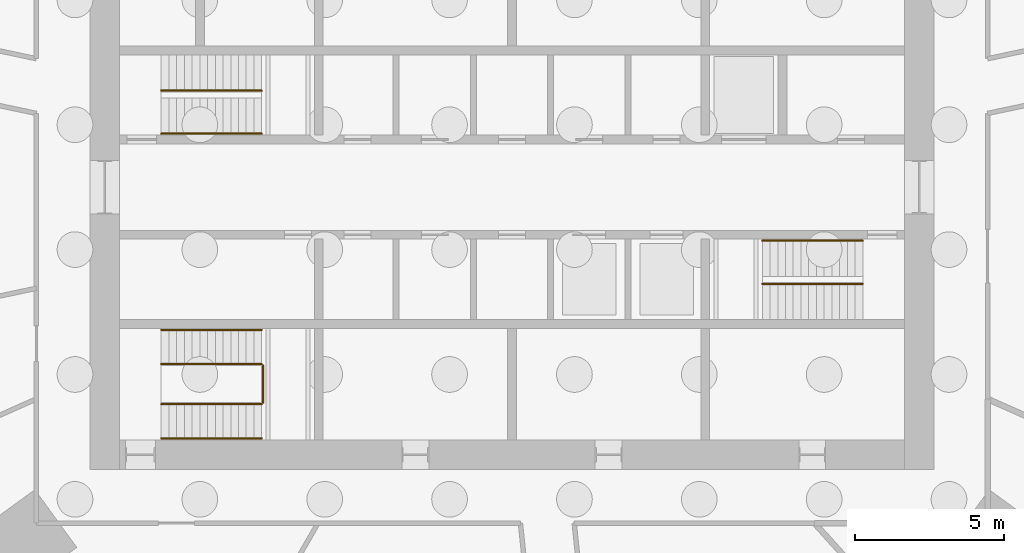
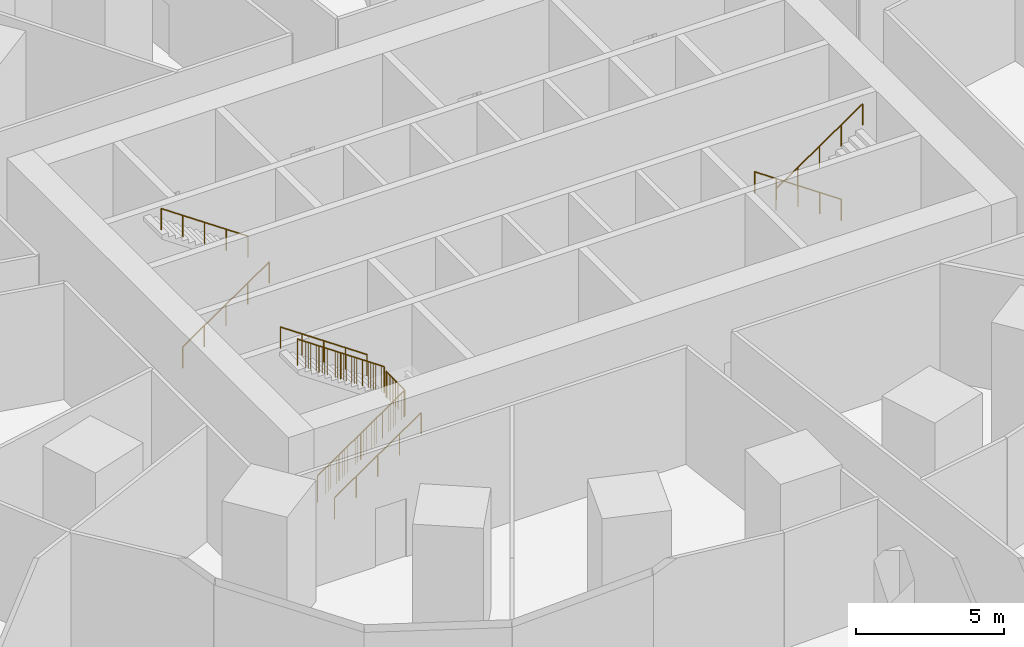
# One storey, part 10 of 11: 9 railings.
"""IFC4 building model written with IfcOpenShell, lengths in metres."""

from ifc_helpers import new_model, si_unit, direction, frame, origin, origin_2d, place, context, subcontext, project, spatial, circle, extrude, material, type_object, element, save


model = new_model("IFC4")

# Units and contexts
model_context = context("Model", 3, precision=1e-05, world=origin(), true_north=direction((0.0, 1.0)))
body_context = subcontext(model_context, "Body", "Model", "MODEL_VIEW")
ifc_project = project(units=[si_unit("LENGTHUNIT", "METRE"), si_unit("AREAUNIT", "SQUARE_METRE"), si_unit("VOLUMEUNIT", "CUBIC_METRE"), si_unit("PLANEANGLEUNIT", "RADIAN"), si_unit("MASSUNIT", "GRAM", prefix="KILO")], contexts=[model_context])

# Site, building, storey
site_placement = place(None, origin())
site = spatial("IfcSite", under=ifc_project, at=site_placement, CompositionType="ELEMENT")
building_placement = place(site_placement, origin())
building = spatial("IfcBuilding", under=site, at=building_placement, Name="Marramba Exchange Tower", CompositionType="ELEMENT")
storey_placement = place(building_placement, frame((0.0, 0.0, -5.0)))
storey = spatial("IfcBuildingStorey", under=building, at=storey_placement, Name="B1", CompositionType="ELEMENT", Elevation=-5.0)

# Railings
ifc_material_1 = material(Name="Stainless steel handrail", Category="steel")
railing_type_1 = type_object("IfcRailingType", Name="Stair handrail 900", PredefinedType="HANDRAIL", material=ifc_material_1)
railing_1_placement = place(storey_placement, frame((-11.800048828125, 1.800048828125, 0.178466796875)))
element("IfcRailing", 1, at=railing_1_placement, inside=storey, type_object=railing_type_1, Name="Handrail HR1 ST1 B1 flight 1", PredefinedType="HANDRAIL", context=body_context, shape_type="SweptSolid", body=[
    extrude(circle(Radius=0.02392578125, at=origin_2d()), frame((0.0, 0.0, 0.8759765625), z_axis=(0.824304150675, 0.0, 0.566147213346), x_axis=(0.0, 1.0, 0.0)), (0.0, 0.0, 1.0), 4.1005859375),
    extrude(circle(Radius=0.02099609375, at=origin_2d()), origin(), (0.0, 0.0, 1.0), 0.851806640625),
    extrude(circle(Radius=0.02099609375, at=origin_2d()), frame((0.844970703125, 0.0, 0.580322265625)), (0.0, 0.0, 1.0), 0.851806640625),
    extrude(circle(Radius=0.02099609375, at=origin_2d()), frame((1.68994140625, 0.0, 1.16064453125)), (0.0, 0.0, 1.0), 0.851806640625),
    extrude(circle(Radius=0.02099609375, at=origin_2d()), frame((2.53515625, 0.0, 1.7412109375)), (0.0, 0.0, 1.0), 0.851806640625),
    extrude(circle(Radius=0.02099609375, at=origin_2d()), frame((3.380126953125, 0.0, 2.321533203125)), (0.0, 0.0, 1.0), 0.851806640625),
])
for number, where, name in (
    (2, (-8.419921875, 3.25, 2.678466796875), "Handrail HR1 ST1 B1 flight 2"),
    (3, (11.800048828125, -1.800048828125, 0.178466796875), "Handrail HR1 ST2 B1 flight 1"),
):
    element("IfcRailing", number, at=place(storey_placement, frame(where)), inside=storey, type_object=railing_type_1, Name=name, PredefinedType="HANDRAIL", context=body_context, shape_type="SweptSolid", body=[
        extrude(circle(Radius=0.02392578125, at=origin_2d()), frame((0.0, 0.0, 0.8759765625), z_axis=(-0.824304150675, 0.0, 0.566147213346), x_axis=(0.0, -1.0, 0.0)), (0.0, 0.0, 1.0), 4.1005859375),
        extrude(circle(Radius=0.02099609375, at=origin_2d()), origin(), (0.0, 0.0, 1.0), 0.851806640625),
        extrude(circle(Radius=0.02099609375, at=origin_2d()), frame((-0.844970703125, 0.0, 0.580322265625)), (0.0, 0.0, 1.0), 0.851806640625),
        extrude(circle(Radius=0.02099609375, at=origin_2d()), frame((-1.68994140625, 0.0, 1.16064453125)), (0.0, 0.0, 1.0), 0.851806640625),
        extrude(circle(Radius=0.02099609375, at=origin_2d()), frame((-2.53515625, 0.0, 1.7412109375)), (0.0, 0.0, 1.0), 0.851806640625),
        extrude(circle(Radius=0.02099609375, at=origin_2d()), frame((-3.380126953125, 0.0, 2.321533203125)), (0.0, 0.0, 1.0), 0.851806640625),
    ])
for number, where, name in (
    (4, (8.419921875, -3.25, 2.678466796875), "Handrail HR1 ST2 B1 flight 2"),
    (5, (-11.800048828125, -8.449951171875, 0.178466796875), "Handrail HR1 ST3 B1 flight 1"),
):
    element("IfcRailing", number, at=place(storey_placement, frame(where)), inside=storey, type_object=railing_type_1, Name=name, PredefinedType="HANDRAIL", context=body_context, shape_type="SweptSolid", body=[
        extrude(circle(Radius=0.02392578125, at=origin_2d()), frame((0.0, 0.0, 0.8759765625), z_axis=(0.824304150675, 0.0, 0.566147213346), x_axis=(0.0, 1.0, 0.0)), (0.0, 0.0, 1.0), 4.1005859375),
        extrude(circle(Radius=0.02099609375, at=origin_2d()), origin(), (0.0, 0.0, 1.0), 0.851806640625),
        extrude(circle(Radius=0.02099609375, at=origin_2d()), frame((0.844970703125, 0.0, 0.580322265625)), (0.0, 0.0, 1.0), 0.851806640625),
        extrude(circle(Radius=0.02099609375, at=origin_2d()), frame((1.68994140625, 0.0, 1.16064453125)), (0.0, 0.0, 1.0), 0.851806640625),
        extrude(circle(Radius=0.02099609375, at=origin_2d()), frame((2.53515625, 0.0, 1.7412109375)), (0.0, 0.0, 1.0), 0.851806640625),
        extrude(circle(Radius=0.02099609375, at=origin_2d()), frame((3.380126953125, 0.0, 2.321533203125)), (0.0, 0.0, 1.0), 0.851806640625),
    ])
railing_2_placement = place(storey_placement, frame((-8.419921875, -4.800048828125, 2.678466796875)))
element("IfcRailing", 6, at=railing_2_placement, inside=storey, type_object=railing_type_1, Name="Handrail HR1 ST3 B1 flight 2", PredefinedType="HANDRAIL", context=body_context, shape_type="SweptSolid", body=[
    extrude(circle(Radius=0.02392578125, at=origin_2d()), frame((0.0, 0.0, 0.8759765625), z_axis=(-0.824304150675, 0.0, 0.566147213346), x_axis=(0.0, -1.0, 0.0)), (0.0, 0.0, 1.0), 4.1005859375),
    extrude(circle(Radius=0.02099609375, at=origin_2d()), origin(), (0.0, 0.0, 1.0), 0.851806640625),
    extrude(circle(Radius=0.02099609375, at=origin_2d()), frame((-0.844970703125, 0.0, 0.580322265625)), (0.0, 0.0, 1.0), 0.851806640625),
    extrude(circle(Radius=0.02099609375, at=origin_2d()), frame((-1.68994140625, 0.0, 1.16064453125)), (0.0, 0.0, 1.0), 0.851806640625),
    extrude(circle(Radius=0.02099609375, at=origin_2d()), frame((-2.53515625, 0.0, 1.7412109375)), (0.0, 0.0, 1.0), 0.851806640625),
    extrude(circle(Radius=0.02099609375, at=origin_2d()), frame((-3.380126953125, 0.0, 2.321533203125)), (0.0, 0.0, 1.0), 0.851806640625),
])
ifc_material_2 = material(Name="Stainless steel guard", Category="steel")
railing_type_2 = type_object("IfcRailingType", Name="Stair well guard 1100", PredefinedType="GUARDRAIL", material=ifc_material_2)
railing_3_placement = place(storey_placement, frame((-11.800048828125, -7.300048828125, 0.178466796875)))
element("IfcRailing", 7, at=railing_3_placement, inside=storey, type_object=railing_type_2, Name="Stair well guard GR2 ST3 B1 flight 1", PredefinedType="GUARDRAIL", context=body_context, shape_type="SweptSolid", body=[
    extrude(circle(Radius=0.02392578125, at=origin_2d()), frame((0.0, 0.0, 1.076171875), z_axis=(0.824304150675, 0.0, 0.566147213346), x_axis=(0.0, 1.0, 0.0)), (0.0, 0.0, 1.0), 4.1005859375),
    extrude(circle(Radius=0.02099609375, at=origin_2d()), origin(), (0.0, 0.0, 1.0), 1.052001953125),
    extrude(circle(Radius=0.02099609375, at=origin_2d()), frame((0.844970703125, 0.0, 0.580322265625)), (0.0, 0.0, 1.0), 1.052001953125),
    extrude(circle(Radius=0.02099609375, at=origin_2d()), frame((1.68994140625, 0.0, 1.16064453125)), (0.0, 0.0, 1.0), 1.052001953125),
    extrude(circle(Radius=0.02099609375, at=origin_2d()), frame((2.53515625, 0.0, 1.7412109375)), (0.0, 0.0, 1.0), 1.052001953125),
    extrude(circle(Radius=0.02099609375, at=origin_2d()), frame((3.380126953125, 0.0, 2.321533203125)), (0.0, 0.0, 1.0), 1.052001953125),
    extrude(circle(Radius=0.006103515625, at=origin_2d()), frame((0.116943359375, 0.0, 0.080322265625)), (0.0, 0.0, 1.0), 1.052001953125),
    extrude(circle(Radius=0.006103515625, at=origin_2d()), frame((0.21875, 0.0, 0.150146484375)), (0.0, 0.0, 1.0), 1.052001953125),
    extrude(circle(Radius=0.006103515625, at=origin_2d()), frame((0.320556640625, 0.0, 0.22021484375)), (0.0, 0.0, 1.0), 1.052001953125),
    extrude(circle(Radius=0.006103515625, at=origin_2d()), frame((0.422607421875, 0.0, 0.290283203125)), (0.0, 0.0, 1.0), 1.052001953125),
    extrude(circle(Radius=0.006103515625, at=origin_2d()), frame((0.5244140625, 0.0, 0.360107421875)), (0.0, 0.0, 1.0), 1.052001953125),
    extrude(circle(Radius=0.006103515625, at=origin_2d()), frame((0.626220703125, 0.0, 0.43017578125)), (0.0, 0.0, 1.0), 1.052001953125),
    extrude(circle(Radius=0.006103515625, at=origin_2d()), frame((0.728271484375, 0.0, 0.5)), (0.0, 0.0, 1.0), 1.052001953125),
    extrude(circle(Radius=0.006103515625, at=origin_2d()), frame((0.9619140625, 0.0, 0.66064453125)), (0.0, 0.0, 1.0), 1.052001953125),
    extrude(circle(Radius=0.006103515625, at=origin_2d()), frame((1.063720703125, 0.0, 0.730712890625)), (0.0, 0.0, 1.0), 1.052001953125),
    extrude(circle(Radius=0.006103515625, at=origin_2d()), frame((1.165771484375, 0.0, 0.800537109375)), (0.0, 0.0, 1.0), 1.052001953125),
    extrude(circle(Radius=0.006103515625, at=origin_2d()), frame((1.267578125, 0.0, 0.87060546875)), (0.0, 0.0, 1.0), 1.052001953125),
    extrude(circle(Radius=0.006103515625, at=origin_2d()), frame((1.369384765625, 0.0, 0.9404296875)), (0.0, 0.0, 1.0), 1.052001953125),
    extrude(circle(Radius=0.006103515625, at=origin_2d()), frame((1.47119140625, 0.0, 1.010498046875)), (0.0, 0.0, 1.0), 1.052001953125),
    extrude(circle(Radius=0.006103515625, at=origin_2d()), frame((1.5732421875, 0.0, 1.08056640625)), (0.0, 0.0, 1.0), 1.052001953125),
    extrude(circle(Radius=0.006103515625, at=origin_2d()), frame((1.806884765625, 0.0, 1.240966796875)), (0.0, 0.0, 1.0), 1.052001953125),
    extrude(circle(Radius=0.006103515625, at=origin_2d()), frame((1.908935546875, 0.0, 1.31103515625)), (0.0, 0.0, 1.0), 1.052001953125),
    extrude(circle(Radius=0.006103515625, at=origin_2d()), frame((2.0107421875, 0.0, 1.381103515625)), (0.0, 0.0, 1.0), 1.052001953125),
    extrude(circle(Radius=0.006103515625, at=origin_2d()), frame((2.112548828125, 0.0, 1.450927734375)), (0.0, 0.0, 1.0), 1.052001953125),
    extrude(circle(Radius=0.006103515625, at=origin_2d()), frame((2.21435546875, 0.0, 1.52099609375)), (0.0, 0.0, 1.0), 1.052001953125),
    extrude(circle(Radius=0.006103515625, at=origin_2d()), frame((2.31640625, 0.0, 1.5908203125)), (0.0, 0.0, 1.0), 1.052001953125),
    extrude(circle(Radius=0.006103515625, at=origin_2d()), frame((2.418212890625, 0.0, 1.660888671875)), (0.0, 0.0, 1.0), 1.052001953125),
    extrude(circle(Radius=0.006103515625, at=origin_2d()), frame((2.65185546875, 0.0, 1.821533203125)), (0.0, 0.0, 1.0), 1.052001953125),
    extrude(circle(Radius=0.006103515625, at=origin_2d()), frame((2.75390625, 0.0, 1.891357421875)), (0.0, 0.0, 1.0), 1.052001953125),
    extrude(circle(Radius=0.006103515625, at=origin_2d()), frame((2.855712890625, 0.0, 1.96142578125)), (0.0, 0.0, 1.0), 1.052001953125),
    extrude(circle(Radius=0.006103515625, at=origin_2d()), frame((2.95751953125, 0.0, 2.03125)), (0.0, 0.0, 1.0), 1.052001953125),
    extrude(circle(Radius=0.006103515625, at=origin_2d()), frame((3.0595703125, 0.0, 2.101318359375)), (0.0, 0.0, 1.0), 1.052001953125),
    extrude(circle(Radius=0.006103515625, at=origin_2d()), frame((3.161376953125, 0.0, 2.17138671875)), (0.0, 0.0, 1.0), 1.052001953125),
    extrude(circle(Radius=0.006103515625, at=origin_2d()), frame((3.26318359375, 0.0, 2.2412109375)), (0.0, 0.0, 1.0), 1.052001953125),
])
railing_4_placement = place(storey_placement, frame((-8.419921875, -5.949951171875, 2.678466796875)))
element("IfcRailing", 8, at=railing_4_placement, inside=storey, type_object=railing_type_2, Name="Stair well guard GR2 ST3 B1 flight 2", PredefinedType="GUARDRAIL", context=body_context, shape_type="SweptSolid", body=[
    extrude(circle(Radius=0.02392578125, at=origin_2d()), frame((0.0, 0.0, 1.076171875), z_axis=(-0.824304150675, 0.0, 0.566147213346), x_axis=(0.0, -1.0, 0.0)), (0.0, 0.0, 1.0), 4.1005859375),
    extrude(circle(Radius=0.02099609375, at=origin_2d()), origin(), (0.0, 0.0, 1.0), 1.052001953125),
    extrude(circle(Radius=0.02099609375, at=origin_2d()), frame((-0.844970703125, 0.0, 0.580322265625)), (0.0, 0.0, 1.0), 1.052001953125),
    extrude(circle(Radius=0.02099609375, at=origin_2d()), frame((-1.68994140625, 0.0, 1.16064453125)), (0.0, 0.0, 1.0), 1.052001953125),
    extrude(circle(Radius=0.02099609375, at=origin_2d()), frame((-2.53515625, 0.0, 1.7412109375)), (0.0, 0.0, 1.0), 1.052001953125),
    extrude(circle(Radius=0.02099609375, at=origin_2d()), frame((-3.380126953125, 0.0, 2.321533203125)), (0.0, 0.0, 1.0), 1.052001953125),
    extrude(circle(Radius=0.006103515625, at=origin_2d()), frame((-0.116943359375, 0.0, 0.080322265625)), (0.0, 0.0, 1.0), 1.052001953125),
    extrude(circle(Radius=0.006103515625, at=origin_2d()), frame((-0.21875, 0.0, 0.150146484375)), (0.0, 0.0, 1.0), 1.052001953125),
    extrude(circle(Radius=0.006103515625, at=origin_2d()), frame((-0.320556640625, 0.0, 0.22021484375)), (0.0, 0.0, 1.0), 1.052001953125),
    extrude(circle(Radius=0.006103515625, at=origin_2d()), frame((-0.422607421875, 0.0, 0.290283203125)), (0.0, 0.0, 1.0), 1.052001953125),
    extrude(circle(Radius=0.006103515625, at=origin_2d()), frame((-0.5244140625, 0.0, 0.360107421875)), (0.0, 0.0, 1.0), 1.052001953125),
    extrude(circle(Radius=0.006103515625, at=origin_2d()), frame((-0.626220703125, 0.0, 0.43017578125)), (0.0, 0.0, 1.0), 1.052001953125),
    extrude(circle(Radius=0.006103515625, at=origin_2d()), frame((-0.728271484375, 0.0, 0.5)), (0.0, 0.0, 1.0), 1.052001953125),
    extrude(circle(Radius=0.006103515625, at=origin_2d()), frame((-0.9619140625, 0.0, 0.66064453125)), (0.0, 0.0, 1.0), 1.052001953125),
    extrude(circle(Radius=0.006103515625, at=origin_2d()), frame((-1.063720703125, 0.0, 0.730712890625)), (0.0, 0.0, 1.0), 1.052001953125),
    extrude(circle(Radius=0.006103515625, at=origin_2d()), frame((-1.165771484375, 0.0, 0.800537109375)), (0.0, 0.0, 1.0), 1.052001953125),
    extrude(circle(Radius=0.006103515625, at=origin_2d()), frame((-1.267578125, 0.0, 0.87060546875)), (0.0, 0.0, 1.0), 1.052001953125),
    extrude(circle(Radius=0.006103515625, at=origin_2d()), frame((-1.369384765625, 0.0, 0.9404296875)), (0.0, 0.0, 1.0), 1.052001953125),
    extrude(circle(Radius=0.006103515625, at=origin_2d()), frame((-1.47119140625, 0.0, 1.010498046875)), (0.0, 0.0, 1.0), 1.052001953125),
    extrude(circle(Radius=0.006103515625, at=origin_2d()), frame((-1.5732421875, 0.0, 1.08056640625)), (0.0, 0.0, 1.0), 1.052001953125),
    extrude(circle(Radius=0.006103515625, at=origin_2d()), frame((-1.806884765625, 0.0, 1.240966796875)), (0.0, 0.0, 1.0), 1.052001953125),
    extrude(circle(Radius=0.006103515625, at=origin_2d()), frame((-1.908935546875, 0.0, 1.31103515625)), (0.0, 0.0, 1.0), 1.052001953125),
    extrude(circle(Radius=0.006103515625, at=origin_2d()), frame((-2.0107421875, 0.0, 1.381103515625)), (0.0, 0.0, 1.0), 1.052001953125),
    extrude(circle(Radius=0.006103515625, at=origin_2d()), frame((-2.112548828125, 0.0, 1.450927734375)), (0.0, 0.0, 1.0), 1.052001953125),
    extrude(circle(Radius=0.006103515625, at=origin_2d()), frame((-2.21435546875, 0.0, 1.52099609375)), (0.0, 0.0, 1.0), 1.052001953125),
    extrude(circle(Radius=0.006103515625, at=origin_2d()), frame((-2.31640625, 0.0, 1.5908203125)), (0.0, 0.0, 1.0), 1.052001953125),
    extrude(circle(Radius=0.006103515625, at=origin_2d()), frame((-2.418212890625, 0.0, 1.660888671875)), (0.0, 0.0, 1.0), 1.052001953125),
    extrude(circle(Radius=0.006103515625, at=origin_2d()), frame((-2.65185546875, 0.0, 1.821533203125)), (0.0, 0.0, 1.0), 1.052001953125),
    extrude(circle(Radius=0.006103515625, at=origin_2d()), frame((-2.75390625, 0.0, 1.891357421875)), (0.0, 0.0, 1.0), 1.052001953125),
    extrude(circle(Radius=0.006103515625, at=origin_2d()), frame((-2.855712890625, 0.0, 1.96142578125)), (0.0, 0.0, 1.0), 1.052001953125),
    extrude(circle(Radius=0.006103515625, at=origin_2d()), frame((-2.95751953125, 0.0, 2.03125)), (0.0, 0.0, 1.0), 1.052001953125),
    extrude(circle(Radius=0.006103515625, at=origin_2d()), frame((-3.0595703125, 0.0, 2.101318359375)), (0.0, 0.0, 1.0), 1.052001953125),
    extrude(circle(Radius=0.006103515625, at=origin_2d()), frame((-3.161376953125, 0.0, 2.17138671875)), (0.0, 0.0, 1.0), 1.052001953125),
    extrude(circle(Radius=0.006103515625, at=origin_2d()), frame((-3.26318359375, 0.0, 2.2412109375)), (0.0, 0.0, 1.0), 1.052001953125),
])
railing_5_placement = place(storey_placement, frame((-8.3701171875, -7.25, 2.5)))
element("IfcRailing", 9, at=railing_5_placement, inside=storey, type_object=railing_type_2, Name="Stair well guard GR2 ST3 B1 half landing", PredefinedType="GUARDRAIL", context=body_context, shape_type="SweptSolid", body=[
    extrude(circle(Radius=0.02392578125, at=origin_2d()), frame((0.0, 0.0, 1.076171875), z_axis=(0.0, 1.0, 0.0), x_axis=(-1.0, 0.0, 0.0)), (0.0, 0.0, 1.0), 1.25),
    extrude(circle(Radius=0.02099609375, at=origin_2d()), origin(), (0.0, 0.0, 1.0), 1.052001953125),
    extrude(circle(Radius=0.02099609375, at=origin_2d()), frame((0.0, 0.625, 0.0)), (0.0, 0.0, 1.0), 1.052001953125),
    extrude(circle(Radius=0.02099609375, at=origin_2d()), frame((0.0, 1.25, 0.0)), (0.0, 0.0, 1.0), 1.052001953125),
    extrude(circle(Radius=0.006103515625, at=origin_2d()), frame((0.0, 0.1142578125, 0.0)), (0.0, 0.0, 1.0), 1.052001953125),
    extrude(circle(Radius=0.006103515625, at=origin_2d()), frame((0.0, 0.21337890625, 0.0)), (0.0, 0.0, 1.0), 1.052001953125),
    extrude(circle(Radius=0.006103515625, at=origin_2d()), frame((0.0, 0.3125, 0.0)), (0.0, 0.0, 1.0), 1.052001953125),
    extrude(circle(Radius=0.006103515625, at=origin_2d()), frame((0.0, 0.41162109375, 0.0)), (0.0, 0.0, 1.0), 1.052001953125),
    extrude(circle(Radius=0.006103515625, at=origin_2d()), frame((0.0, 0.5107421875, 0.0)), (0.0, 0.0, 1.0), 1.052001953125),
    extrude(circle(Radius=0.006103515625, at=origin_2d()), frame((0.0, 0.7392578125, 0.0)), (0.0, 0.0, 1.0), 1.052001953125),
    extrude(circle(Radius=0.006103515625, at=origin_2d()), frame((0.0, 0.83837890625, 0.0)), (0.0, 0.0, 1.0), 1.052001953125),
    extrude(circle(Radius=0.006103515625, at=origin_2d()), frame((0.0, 0.9375, 0.0)), (0.0, 0.0, 1.0), 1.052001953125),
    extrude(circle(Radius=0.006103515625, at=origin_2d()), frame((0.0, 1.03662109375, 0.0)), (0.0, 0.0, 1.0), 1.052001953125),
    extrude(circle(Radius=0.006103515625, at=origin_2d()), frame((0.0, 1.1357421875, 0.0)), (0.0, 0.0, 1.0), 1.052001953125),
])

save(model, "model.ifc")
